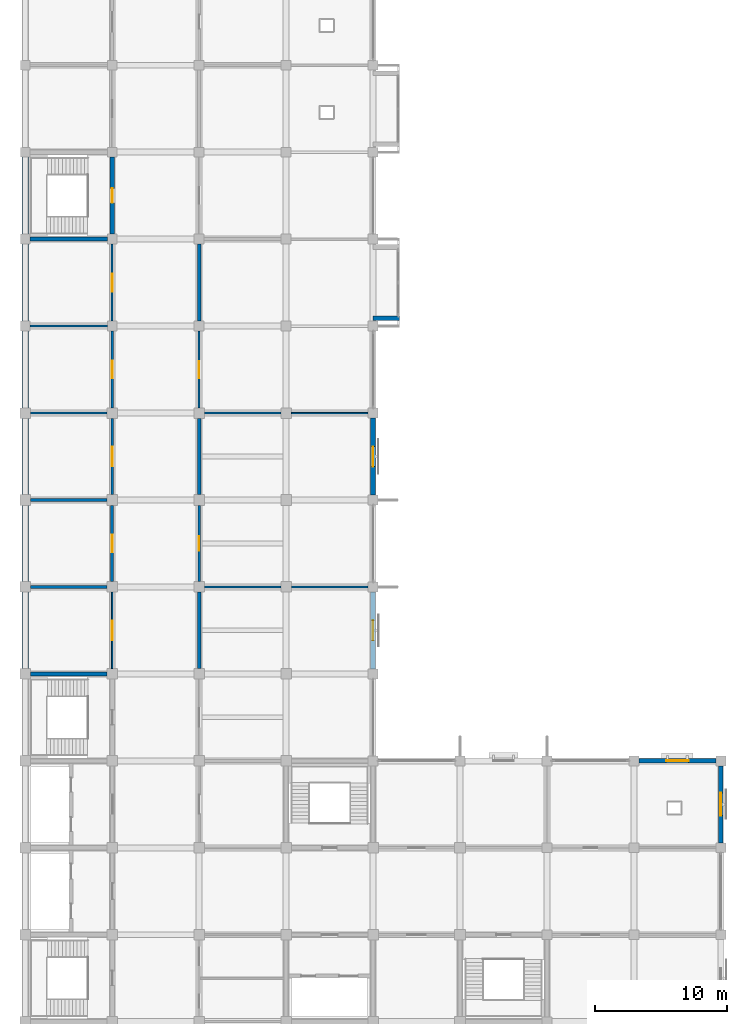
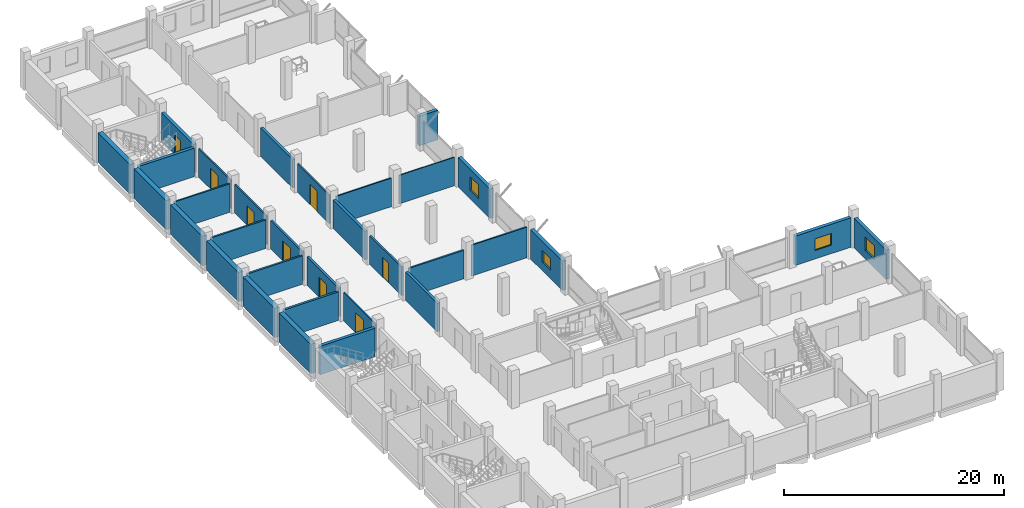
# One storey, part 12 of 18: 32 walls, 8 doors, 4 windows, 12 openings.
"""IFC4 building model written with IfcOpenShell, lengths in metres."""

from ifc_helpers import new_model, si_unit, direction, frame, frame_2d, origin, place, context, subcontext, project, spatial, rectangle, extrude, material, layer, layer_set, type_object, element, fill, save


model = new_model("IFC4")

# Units and contexts
model_context = context("Model", 3, precision=1e-05, world=origin(), true_north=direction((0.0, 1.0)))
body_context = subcontext(model_context, "Body", "Model", "MODEL_VIEW")
ifc_project = project(units=[si_unit("LENGTHUNIT", "METRE"), si_unit("AREAUNIT", "SQUARE_METRE"), si_unit("VOLUMEUNIT", "CUBIC_METRE"), si_unit("PLANEANGLEUNIT", "RADIAN"), si_unit("MASSUNIT", "GRAM", prefix="KILO")], contexts=[model_context])

# Site, building, storey
site_placement = place(None, origin())
site = spatial("IfcSite", under=ifc_project, at=site_placement, CompositionType="ELEMENT")
building_placement = place(site_placement, origin())
building = spatial("IfcBuilding", under=site, at=building_placement, Name="Rusizi Kubbe Research Institute", CompositionType="ELEMENT")
storey_placement = place(building_placement, frame((0.0, 0.0, 22.800048828125)))
storey = spatial("IfcBuildingStorey", under=building, at=storey_placement, Name="L05", CompositionType="ELEMENT", Elevation=22.800048828125)

# Walls
ifc_material_1 = material(Name="Concrete C45/55", Category="concrete")
ifc_layer_1 = layer(ifc_material_1, 0.31494140625)
ifc_layer_set_1 = layer_set([ifc_layer_1], Name="Concrete C45/55")
wall_type_1 = type_object("IfcWallType", Name="CRW-02", PredefinedType="SHEAR", material=ifc_layer_set_1)
wall_1_placement = place(storey_placement, frame((0.39990234375, 33.0, 0.0), z_axis=(0.0, 0.0, 1.0), x_axis=(1.0, 0.0, 0.0)))
element("IfcWall", 1, at=wall_1_placement, inside=storey, type_object=wall_type_1, Name="Stair Core Shear Wall ST2 L05 N", PredefinedType="SHEAR", context=body_context, shape_type="SweptSolid", body=[
    extrude(rectangle(XDim=5.800048828125, YDim=0.31494140625, at=frame_2d((2.89990234375, 0.0))), origin(), (0.0, 0.0, 1.0), 3.169921875),
])
wall_2_placement = place(storey_placement, frame((0.375, 66.0, 0.0), z_axis=(0.0, 0.0, 1.0), x_axis=(1.0, 0.0, 0.0)))
element("IfcWall", 2, at=wall_2_placement, inside=storey, type_object=wall_type_1, Name="Stair Core Shear Wall ST5 L05 S", PredefinedType="SHEAR", context=body_context, shape_type="SweptSolid", body=[
    extrude(rectangle(XDim=5.85009765625, YDim=0.31494140625, at=frame_2d((2.925048828125, 0.0))), origin(), (0.0, 0.0, 1.0), 3.169921875),
])

# Wall, opening, door
wall_3_placement = place(storey_placement, frame((6.60009765625, 66.375, 0.0), z_axis=(0.0, 0.0, 1.0), x_axis=(0.0, 1.0, 0.0)))
wall_3 = element("IfcWall", 3, at=wall_3_placement, inside=storey, type_object=wall_type_1, Name="Stair Core Shear Wall ST5 L05 E", PredefinedType="SHEAR", context=body_context, shape_type="SweptSolid", body=[
    extrude(rectangle(XDim=5.85009765625, YDim=0.31494140625, at=frame_2d((2.925048828125, 0.0))), origin(), (0.0, 0.0, 1.0), 3.169921875),
])
opening_1_placement = place(wall_3_placement, frame((2.375, 0.0, 0.0)))
opening_1 = element("IfcOpeningElement", 4, at=opening_1_placement, cuts=wall_3, Name="Opening D-01", PredefinedType="OPENING", context=body_context, shape_type="SweptSolid", body=[
    extrude(rectangle(XDim=1.10009765625, YDim=2.14990234375, at=frame_2d((0.550048828125, 1.074951171875))), frame((0.0, 0.16748046875, 0.0), z_axis=(0.0, -1.0, 0.0), x_axis=(1.0, 0.0, 0.0)), (0.0, 0.0, 1.0), 0.3349609375),
])
ifc_material_2 = material(Name="Fire-Rated Steel Frame and Acoustic Timber Leaf", Category="wood")
door_type_1 = type_object("IfcDoorType", Name="ID-STAIR-110", OperationType="NOTDEFINED", PredefinedType="DOOR", material=ifc_material_2)
door_1_placement = place(opening_1_placement, origin())
door_1 = element("IfcDoor", 5, at=door_1_placement, inside=storey, type_object=door_type_1, Name="Exit Stair Door ST5 L05", OperationType="SINGLE_SWING_LEFT", OverallHeight=2.14990234375, OverallWidth=1.10009765625, PredefinedType="DOOR", context=body_context, shape_type="SweptSolid", body=[
    extrude(rectangle(XDim=1.10009765625, YDim=2.14990234375, at=frame_2d((0.550048828125, 1.074951171875))), frame((0.0, 0.02490234375, 0.0), z_axis=(0.0, -1.0, 0.0), x_axis=(1.0, 0.0, 0.0)), (0.0, 0.0, 1.0), 0.050048828125),
])
fill(opening_1, door_1)

# Wall, opening, window
ifc_material_3 = material(Name="Volcanic Basalt Ashlar Masonry", Category="masonry")
ifc_layer_2 = layer(ifc_material_3, 0.385009765625)
ifc_layer_set_2 = layer_set([ifc_layer_2], Name="Volcanic Basalt Ashlar Masonry")
wall_type_2 = type_object("IfcWallType", Name="EW-04", PredefinedType="SOLIDWALL", material=ifc_layer_set_2)
wall_4_placement = place(storey_placement, frame((26.39990234375, 33.375, 0.0), z_axis=(0.0, 0.0, 1.0), x_axis=(0.0, 1.0, 0.0)))
wall_4 = element("IfcWall", 6, at=wall_4_placement, inside=storey, type_object=wall_type_2, Name="Ablaq Stone Exterior Wall L05 V4-5", PredefinedType="SOLIDWALL", context=body_context, shape_type="SweptSolid", body=[
    extrude(rectangle(XDim=5.85009765625, YDim=0.385009765625, at=frame_2d((2.925048828125, 0.0))), origin(), (0.0, 0.0, 1.0), 3.27001953125),
])
opening_2_placement = place(wall_4_placement, frame((2.1650390625, 0.0, 0.949951171875)))
opening_2 = element("IfcOpeningElement", 7, at=opening_2_placement, cuts=wall_4, Name="Opening WN-17", PredefinedType="OPENING", context=body_context, shape_type="SweptSolid", body=[
    extrude(rectangle(XDim=1.52001953125, YDim=1.300048828125, at=frame_2d((0.760009765625, 0.64990234375))), frame((0.0, 0.202392578125, 0.0), z_axis=(0.0, -1.0, 0.0), x_axis=(1.0, 0.0, 0.0)), (0.0, 0.0, 1.0), 0.405029296875),
])
ifc_material_4 = material(Name="Aluminium Frame and Solar-Control Double Glazing", Category="glass")
window_type_1 = type_object("IfcWindowType", Name="WN-17", PartitioningType="DOUBLE_PANEL_VERTICAL", PredefinedType="WINDOW", material=ifc_material_4)
window_1_placement = place(opening_2_placement, origin())
window_1 = element("IfcWindow", 8, at=window_1_placement, inside=storey, type_object=window_type_1, Name="Casement Window WN-17 L05", OverallHeight=1.300048828125, OverallWidth=1.52001953125, PartitioningType="DOUBLE_PANEL_VERTICAL", PredefinedType="WINDOW", context=body_context, shape_type="SweptSolid", body=[
    extrude(rectangle(XDim=1.52001953125, YDim=1.300048828125, at=frame_2d((0.760009765625, 0.64990234375))), frame((0.0, 0.030029296875, 0.0), z_axis=(0.0, -1.0, 0.0), x_axis=(1.0, 0.0, 0.0)), (0.0, 0.0, 1.0), 0.06005859375),
])
fill(opening_2, window_1)

ifc_material_5 = material(Name="Volcanic Basalt Ashlar Masonry", Category="masonry")
ifc_layer_3 = layer(ifc_material_5, 0.35498046875)
ifc_layer_set_3 = layer_set([ifc_layer_3], Name="Volcanic Basalt Ashlar Masonry")
wall_type_3 = type_object("IfcWallType", Name="EW-06", PredefinedType="SOLIDWALL", material=ifc_layer_set_3)
wall_5_placement = place(storey_placement, frame((26.39990234375, 46.574951171875, 0.0), z_axis=(0.0, 0.0, 1.0), x_axis=(0.0, 1.0, 0.0)))
wall_5 = element("IfcWall", 9, at=wall_5_placement, inside=storey, type_object=wall_type_3, Name="Ablaq Stone Exterior Wall L05 V4-7", PredefinedType="SOLIDWALL", context=body_context, shape_type="SweptSolid", body=[
    extrude(rectangle(XDim=5.85009765625, YDim=0.35498046875, at=frame_2d((2.925048828125, 0.0))), origin(), (0.0, 0.0, 1.0), 3.27001953125),
])
opening_3_placement = place(wall_5_placement, frame((2.1650390625, 0.0, 0.949951171875)))
opening_3 = element("IfcOpeningElement", 10, at=opening_3_placement, cuts=wall_5, Name="Opening WN-18", PredefinedType="OPENING", context=body_context, shape_type="SweptSolid", body=[
    extrude(rectangle(XDim=1.52001953125, YDim=1.52001953125, at=frame_2d((0.760009765625, 0.760009765625))), frame((0.0, 0.1875, 0.0), z_axis=(0.0, -1.0, 0.0), x_axis=(1.0, 0.0, 0.0)), (0.0, 0.0, 1.0), 0.375),
])
ifc_material_6 = material(Name="Aluminium Frame and Solar-Control Double Glazing", Category="glass")
window_type_2 = type_object("IfcWindowType", Name="WN-18", PartitioningType="DOUBLE_PANEL_VERTICAL", PredefinedType="WINDOW", material=ifc_material_6)
window_2_placement = place(opening_3_placement, origin())
window_2 = element("IfcWindow", 11, at=window_2_placement, inside=storey, type_object=window_type_2, Name="Casement Window WN-18 L05", OverallHeight=1.52001953125, OverallWidth=1.52001953125, PartitioningType="DOUBLE_PANEL_VERTICAL", PredefinedType="WINDOW", context=body_context, shape_type="SweptSolid", body=[
    extrude(rectangle(XDim=1.52001953125, YDim=1.52001953125, at=frame_2d((0.760009765625, 0.760009765625))), frame((0.0, 0.030029296875, 0.0), z_axis=(0.0, -1.0, 0.0), x_axis=(1.0, 0.0, 0.0)), (0.0, 0.0, 1.0), 0.06005859375),
])
fill(opening_3, window_2)

# Wall
wall_6_placement = place(storey_placement, frame((26.39990234375, 60.0, 0.0), z_axis=(0.0, 0.0, 1.0), x_axis=(1.0, 0.0, 0.0)))
element("IfcWall", 12, at=wall_6_placement, inside=storey, type_object=wall_type_3, Name="Cumba Return Wall S L05 (4,9)", PredefinedType="SOLIDWALL", context=body_context, shape_type="SweptSolid", body=[
    extrude(rectangle(XDim=2.0, YDim=0.35498046875, at=frame_2d((1.0, 0.0))), origin(), (0.0, 0.0, 1.0), 3.27001953125),
])

# Wall, opening, window
wall_7_placement = place(storey_placement, frame((46.574951171875, 26.39990234375, 0.0), z_axis=(0.0, 0.0, 1.0), x_axis=(1.0, 0.0, 0.0)))
wall_7 = element("IfcWall", 13, at=wall_7_placement, inside=storey, type_object=wall_type_3, Name="Ablaq Stone Exterior Wall L05 H7-4", PredefinedType="SOLIDWALL", context=body_context, shape_type="SweptSolid", body=[
    extrude(rectangle(XDim=5.85009765625, YDim=0.35498046875, at=frame_2d((2.925048828125, 0.0))), origin(), (0.0, 0.0, 1.0), 3.27001953125),
])
opening_4_placement = place(wall_7_placement, frame((2.06494140625, 0.0, 0.949951171875)))
opening_4 = element("IfcOpeningElement", 14, at=opening_4_placement, cuts=wall_7, Name="Opening WN-21", PredefinedType="OPENING", context=body_context, shape_type="SweptSolid", body=[
    extrude(rectangle(XDim=1.719970703125, YDim=1.300048828125, at=frame_2d((0.85986328125, 0.64990234375))), frame((0.0, 0.1875, 0.0), z_axis=(0.0, -1.0, 0.0), x_axis=(1.0, 0.0, 0.0)), (0.0, 0.0, 1.0), 0.375),
])
ifc_material_7 = material(Name="Aluminium Frame and Solar-Control Double Glazing", Category="glass")
window_type_3 = type_object("IfcWindowType", Name="WN-21", PartitioningType="DOUBLE_PANEL_VERTICAL", PredefinedType="WINDOW", material=ifc_material_7)
window_3_placement = place(opening_4_placement, origin())
window_3 = element("IfcWindow", 15, at=window_3_placement, inside=storey, type_object=window_type_3, Name="Casement Window WN-21 L05", OverallHeight=1.300048828125, OverallWidth=1.719970703125, PartitioningType="DOUBLE_PANEL_VERTICAL", PredefinedType="WINDOW", context=body_context, shape_type="SweptSolid", body=[
    extrude(rectangle(XDim=1.719970703125, YDim=1.300048828125, at=frame_2d((0.85986328125, 0.64990234375))), frame((0.0, 0.030029296875, 0.0), z_axis=(0.0, -1.0, 0.0), x_axis=(1.0, 0.0, 0.0)), (0.0, 0.0, 1.0), 0.06005859375),
])
fill(opening_4, window_3)

wall_8_placement = place(storey_placement, frame((52.800048828125, 20.175048828125, 0.0), z_axis=(0.0, 0.0, 1.0), x_axis=(0.0, 1.0, 0.0)))
wall_8 = element("IfcWall", 16, at=wall_8_placement, inside=storey, type_object=wall_type_3, Name="Ablaq Stone Exterior Wall L05 V8-3", PredefinedType="SOLIDWALL", context=body_context, shape_type="SweptSolid", body=[
    extrude(rectangle(XDim=5.849853515625, YDim=0.35498046875, at=frame_2d((2.9248046875, 0.0))), origin(), (0.0, 0.0, 1.0), 3.27001953125),
])
opening_5_placement = place(wall_8_placement, frame((2.06494140625, 0.0, 0.949951171875)))
opening_5 = element("IfcOpeningElement", 17, at=opening_5_placement, cuts=wall_8, Name="Opening WN-22", PredefinedType="OPENING", context=body_context, shape_type="SweptSolid", body=[
    extrude(rectangle(XDim=1.719970703125, YDim=1.52001953125, at=frame_2d((0.85986328125, 0.760009765625))), frame((0.0, 0.1875, 0.0), z_axis=(0.0, -1.0, 0.0), x_axis=(1.0, 0.0, 0.0)), (0.0, 0.0, 1.0), 0.375),
])
ifc_material_8 = material(Name="Aluminium Frame and Solar-Control Double Glazing", Category="glass")
window_type_4 = type_object("IfcWindowType", Name="WN-22", PartitioningType="DOUBLE_PANEL_VERTICAL", PredefinedType="WINDOW", material=ifc_material_8)
window_4_placement = place(opening_5_placement, origin())
window_4 = element("IfcWindow", 18, at=window_4_placement, inside=storey, type_object=window_type_4, Name="Casement Window WN-22 L05", OverallHeight=1.52001953125, OverallWidth=1.719970703125, PartitioningType="DOUBLE_PANEL_VERTICAL", PredefinedType="WINDOW", context=body_context, shape_type="SweptSolid", body=[
    extrude(rectangle(XDim=1.719970703125, YDim=1.52001953125, at=frame_2d((0.85986328125, 0.760009765625))), frame((0.0, 0.030029296875, 0.0), z_axis=(0.0, -1.0, 0.0), x_axis=(1.0, 0.0, 0.0)), (0.0, 0.0, 1.0), 0.06005859375),
])
fill(opening_5, window_4)

# Wall
ifc_material_9 = material(Name="Concrete Blockwork Fire Partition", Category="masonry")
ifc_layer_4 = layer(ifc_material_9, 0.22509765625)
ifc_layer_set_4 = layer_set([ifc_layer_4], Name="Concrete Blockwork Fire Partition")
wall_type_4 = type_object("IfcWallType", Name="IW-01", PredefinedType="PARTITIONING", material=ifc_layer_set_4)
wall_9_placement = place(storey_placement, frame((0.39990234375, 39.60009765625, 0.0), z_axis=(0.0, 0.0, 1.0), x_axis=(1.0, 0.0, 0.0)))
element("IfcWall", 19, at=wall_9_placement, inside=storey, type_object=wall_type_4, Name="Interior Partition Wall L05 H0-6", PredefinedType="PARTITIONING", context=body_context, shape_type="SweptSolid", body=[
    extrude(rectangle(XDim=5.800048828125, YDim=0.22509765625, at=frame_2d((2.89990234375, 0.0))), origin(), (0.0, 0.0, 1.0), 3.169921875),
])

# Wall, opening, door
wall_10_placement = place(storey_placement, frame((6.60009765625, 40.0, 0.0), z_axis=(0.0, 0.0, 1.0), x_axis=(0.0, 1.0, 0.0)))
wall_10 = element("IfcWall", 20, at=wall_10_placement, inside=storey, type_object=wall_type_4, Name="Interior Partition Wall L05 V1-6", PredefinedType="PARTITIONING", context=body_context, shape_type="SweptSolid", body=[
    extrude(rectangle(XDim=5.800048828125, YDim=0.22509765625, at=frame_2d((2.89990234375, 0.0))), origin(), (0.0, 0.0, 1.0), 3.169921875),
])
opening_6_placement = place(wall_10_placement, frame((2.239990234375, 0.0, 0.0)))
opening_6 = element("IfcOpeningElement", 21, at=opening_6_placement, cuts=wall_10, Name="Opening LD-07", PredefinedType="OPENING", context=body_context, shape_type="SweptSolid", body=[
    extrude(rectangle(XDim=1.320068359375, YDim=2.199951171875, at=frame_2d((0.66015625, 1.10009765625))), frame((0.0, 0.12255859375, 0.0), z_axis=(0.0, -1.0, 0.0), x_axis=(1.0, 0.0, 0.0)), (0.0, 0.0, 1.0), 0.2451171875),
])
ifc_material_10 = material(Name="Brushed Stainless Steel Sliding Door", Category="steel")
door_type_2 = type_object("IfcDoorType", Name="LD-07", OperationType="DOUBLE_DOOR_SLIDING", PredefinedType="USERDEFINED", material=ifc_material_10)
door_2_placement = place(opening_6_placement, origin())
door_2 = element("IfcDoor", 22, at=door_2_placement, inside=storey, type_object=door_type_2, Name="Door to ISO-6 Clean Room Suite (L05-CR-06)", ObjectType="SLIDING DOOR", OperationType="DOUBLE_DOOR_SLIDING", OverallHeight=2.199951171875, OverallWidth=1.320068359375, PredefinedType="USERDEFINED", context=body_context, shape_type="SweptSolid", body=[
    extrude(rectangle(XDim=1.320068359375, YDim=2.199951171875, at=frame_2d((0.66015625, 1.10009765625))), frame((0.0, 0.02490234375, 0.0), z_axis=(0.0, -1.0, 0.0), x_axis=(1.0, 0.0, 0.0)), (0.0, 0.0, 1.0), 0.050048828125),
])
fill(opening_6, door_2)

# Wall
ifc_material_11 = material(Name="Insulated Cleanroom Partition", Category="masonry")
ifc_layer_5 = layer(ifc_material_11, 0.195068359375)
ifc_layer_set_5 = layer_set([ifc_layer_5], Name="Insulated Cleanroom Partition")
wall_type_5 = type_object("IfcWallType", Name="IW-02", PredefinedType="PARTITIONING", material=ifc_layer_set_5)
wall_11_placement = place(storey_placement, frame((0.39990234375, 46.199951171875, 0.0), z_axis=(0.0, 0.0, 1.0), x_axis=(1.0, 0.0, 0.0)))
element("IfcWall", 23, at=wall_11_placement, inside=storey, type_object=wall_type_5, Name="Interior Partition Wall L05 H0-7", PredefinedType="PARTITIONING", context=body_context, shape_type="SweptSolid", body=[
    extrude(rectangle(XDim=5.800048828125, YDim=0.195068359375, at=frame_2d((2.89990234375, 0.0))), origin(), (0.0, 0.0, 1.0), 3.169921875),
])

# Wall, opening, door
wall_12_placement = place(storey_placement, frame((6.60009765625, 46.60009765625, 0.0), z_axis=(0.0, 0.0, 1.0), x_axis=(0.0, 1.0, 0.0)))
wall_12 = element("IfcWall", 24, at=wall_12_placement, inside=storey, type_object=wall_type_5, Name="Interior Partition Wall L05 V1-7", PredefinedType="PARTITIONING", context=body_context, shape_type="SweptSolid", body=[
    extrude(rectangle(XDim=5.7998046875, YDim=0.195068359375, at=frame_2d((2.89990234375, 0.0))), origin(), (0.0, 0.0, 1.0), 3.169921875),
])
opening_7_placement = place(wall_12_placement, frame((2.159912109375, 0.0, 0.0)))
opening_7 = element("IfcOpeningElement", 25, at=opening_7_placement, cuts=wall_12, Name="Opening LD-08", PredefinedType="OPENING", context=body_context, shape_type="SweptSolid", body=[
    extrude(rectangle(XDim=1.47998046875, YDim=2.25, at=frame_2d((0.739990234375, 1.125))), frame((0.0, 0.107421875, 0.0), z_axis=(0.0, -1.0, 0.0), x_axis=(1.0, 0.0, 0.0)), (0.0, 0.0, 1.0), 0.215087890625),
])
ifc_material_12 = material(Name="Brushed Stainless Steel Sliding Door", Category="steel")
door_type_3 = type_object("IfcDoorType", Name="LD-08", OperationType="DOUBLE_DOOR_SLIDING", PredefinedType="USERDEFINED", material=ifc_material_12)
door_3_placement = place(opening_7_placement, origin())
door_3 = element("IfcDoor", 26, at=door_3_placement, inside=storey, type_object=door_type_3, Name="Door to Clean Room Gowning Airlock (L05-ALK-07)", ObjectType="SLIDING DOOR", OperationType="DOUBLE_DOOR_SLIDING", OverallHeight=2.25, OverallWidth=1.47998046875, PredefinedType="USERDEFINED", context=body_context, shape_type="SweptSolid", body=[
    extrude(rectangle(XDim=1.47998046875, YDim=2.25, at=frame_2d((0.739990234375, 1.125))), frame((0.0, 0.02490234375, 0.0), z_axis=(0.0, -1.0, 0.0), x_axis=(1.0, 0.0, 0.0)), (0.0, 0.0, 1.0), 0.050048828125),
])
fill(opening_7, door_3)

wall_13_placement = place(storey_placement, frame((13.199951171875, 40.0, 0.0), z_axis=(0.0, 0.0, 1.0), x_axis=(0.0, 1.0, 0.0)))
wall_13 = element("IfcWall", 27, at=wall_13_placement, inside=storey, type_object=wall_type_5, Name="Interior Partition Wall L05 V2-6", PredefinedType="PARTITIONING", context=body_context, shape_type="SweptSolid", body=[
    extrude(rectangle(XDim=5.800048828125, YDim=0.195068359375, at=frame_2d((2.89990234375, 0.0))), origin(), (0.0, 0.0, 1.0), 3.169921875),
])
opening_8_placement = place(wall_13_placement, frame((2.340087890625, 0.0, 0.0)))
opening_8 = element("IfcOpeningElement", 28, at=opening_8_placement, cuts=wall_13, Name="Opening D-18", PredefinedType="OPENING", context=body_context, shape_type="SweptSolid", body=[
    extrude(rectangle(XDim=1.1201171875, YDim=2.199951171875, at=frame_2d((0.56005859375, 1.10009765625))), frame((0.0, 0.107421875, 0.0), z_axis=(0.0, -1.0, 0.0), x_axis=(1.0, 0.0, 0.0)), (0.0, 0.0, 1.0), 0.215087890625),
])
ifc_material_13 = material(Name="Fire-Rated Steel Frame and Acoustic Timber Leaf", Category="wood")
door_type_4 = type_object("IfcDoorType", Name="ID-OFF-112", OperationType="NOTDEFINED", PredefinedType="DOOR", material=ifc_material_13)
door_4_placement = place(opening_8_placement, origin())
door_4 = element("IfcDoor", 29, at=door_4_placement, inside=storey, type_object=door_type_4, Name="Door to Write-up Office (L05-NW-03)", OperationType="SINGLE_SWING_LEFT", OverallHeight=2.199951171875, OverallWidth=1.1201171875, PredefinedType="DOOR", context=body_context, shape_type="SweptSolid", body=[
    extrude(rectangle(XDim=1.1201171875, YDim=2.199951171875, at=frame_2d((0.56005859375, 1.10009765625))), frame((0.0, 0.02490234375, 0.0), z_axis=(0.0, -1.0, 0.0), x_axis=(1.0, 0.0, 0.0)), (0.0, 0.0, 1.0), 0.050048828125),
])
fill(opening_8, door_4)

# Wall
ifc_material_14 = material(Name="Acoustic Laboratory Partition", Category="masonry")
ifc_layer_6 = layer(ifc_material_14, 0.175048828125)
ifc_layer_set_6 = layer_set([ifc_layer_6], Name="Acoustic Laboratory Partition")
wall_type_6 = type_object("IfcWallType", Name="IW-03", PredefinedType="PARTITIONING", material=ifc_layer_set_6)
wall_14_placement = place(storey_placement, frame((0.39990234375, 52.800048828125, 0.0), z_axis=(0.0, 0.0, 1.0), x_axis=(1.0, 0.0, 0.0)))
element("IfcWall", 30, at=wall_14_placement, inside=storey, type_object=wall_type_6, Name="Interior Partition Wall L05 H0-8", PredefinedType="PARTITIONING", context=body_context, shape_type="SweptSolid", body=[
    extrude(rectangle(XDim=5.800048828125, YDim=0.175048828125, at=frame_2d((2.89990234375, 0.0))), origin(), (0.0, 0.0, 1.0), 3.169921875),
])

# Wall, opening, door
wall_15_placement = place(storey_placement, frame((6.60009765625, 53.199951171875, 0.0), z_axis=(0.0, 0.0, 1.0), x_axis=(0.0, 1.0, 0.0)))
wall_15 = element("IfcWall", 31, at=wall_15_placement, inside=storey, type_object=wall_type_6, Name="Interior Partition Wall L05 V1-8", PredefinedType="PARTITIONING", context=body_context, shape_type="SweptSolid", body=[
    extrude(rectangle(XDim=5.824951171875, YDim=0.175048828125, at=frame_2d((2.91259765625, 0.0))), origin(), (0.0, 0.0, 1.0), 3.169921875),
])
opening_9_placement = place(wall_15_placement, frame((2.239990234375, 0.0, 0.0)))
opening_9 = element("IfcOpeningElement", 32, at=opening_9_placement, cuts=wall_15, Name="Opening LD-07", PredefinedType="OPENING", context=body_context, shape_type="SweptSolid", body=[
    extrude(rectangle(XDim=1.320068359375, YDim=2.199951171875, at=frame_2d((0.66015625, 1.10009765625))), frame((0.0, 0.097412109375, 0.0), z_axis=(0.0, -1.0, 0.0), x_axis=(1.0, 0.0, 0.0)), (0.0, 0.0, 1.0), 0.195068359375),
])
door_5_placement = place(opening_9_placement, origin())
door_5 = element("IfcDoor", 33, at=door_5_placement, inside=storey, type_object=door_type_2, Name="Door to ISO-6 Clean Room Suite (L05-CR-08)", ObjectType="SLIDING DOOR", OperationType="DOUBLE_DOOR_SLIDING", OverallHeight=2.199951171875, OverallWidth=1.320068359375, PredefinedType="USERDEFINED", context=body_context, shape_type="SweptSolid", body=[
    extrude(rectangle(XDim=1.320068359375, YDim=2.199951171875, at=frame_2d((0.66015625, 1.10009765625))), frame((0.0, 0.02490234375, 0.0), z_axis=(0.0, -1.0, 0.0), x_axis=(1.0, 0.0, 0.0)), (0.0, 0.0, 1.0), 0.050048828125),
])
fill(opening_9, door_5)

# Walls
wall_16_placement = place(storey_placement, frame((13.60009765625, 39.60009765625, 0.0), z_axis=(0.0, 0.0, 1.0), x_axis=(1.0, 0.0, 0.0)))
element("IfcWall", 34, at=wall_16_placement, inside=storey, type_object=wall_type_6, Name="Interior Partition Wall L05 H2-6", PredefinedType="PARTITIONING", context=body_context, shape_type="SweptSolid", body=[
    extrude(rectangle(XDim=5.7998046875, YDim=0.175048828125, at=frame_2d((2.89990234375, 0.0))), origin(), (0.0, 0.0, 1.0), 3.169921875),
])
ifc_material_15 = material(Name="Fire-Rated Corridor Partition", Category="masonry")
ifc_layer_7 = layer(ifc_material_15, 0.155029296875)
ifc_layer_set_7 = layer_set([ifc_layer_7], Name="Fire-Rated Corridor Partition")
wall_type_7 = type_object("IfcWallType", Name="IW-04", PredefinedType="PARTITIONING", material=ifc_layer_set_7)
wall_17_placement = place(storey_placement, frame((0.375, 59.39990234375, 0.0), z_axis=(0.0, 0.0, 1.0), x_axis=(1.0, 0.0, 0.0)))
element("IfcWall", 35, at=wall_17_placement, inside=storey, type_object=wall_type_7, Name="Interior Partition Wall L05 H0-9", PredefinedType="PARTITIONING", context=body_context, shape_type="SweptSolid", body=[
    extrude(rectangle(XDim=5.85009765625, YDim=0.155029296875, at=frame_2d((2.925048828125, 0.0))), origin(), (0.0, 0.0, 1.0), 3.169921875),
])

# Wall, opening, door
wall_18_placement = place(storey_placement, frame((6.60009765625, 59.77490234375, 0.0), z_axis=(0.0, 0.0, 1.0), x_axis=(0.0, 1.0, 0.0)))
wall_18 = element("IfcWall", 36, at=wall_18_placement, inside=storey, type_object=wall_type_7, Name="Interior Partition Wall L05 V1-9", PredefinedType="PARTITIONING", context=body_context, shape_type="SweptSolid", body=[
    extrude(rectangle(XDim=5.85009765625, YDim=0.155029296875, at=frame_2d((2.925048828125, 0.0))), origin(), (0.0, 0.0, 1.0), 3.169921875),
])
opening_10_placement = place(wall_18_placement, frame((2.25, 0.0, 0.0)))
opening_10 = element("IfcOpeningElement", 37, at=opening_10_placement, cuts=wall_18, Name="Opening D-13", PredefinedType="OPENING", context=body_context, shape_type="SweptSolid", body=[
    extrude(rectangle(XDim=1.35009765625, YDim=2.300048828125, at=frame_2d((0.675048828125, 1.14990234375))), frame((0.0, 0.08740234375, 0.0), z_axis=(0.0, -1.0, 0.0), x_axis=(1.0, 0.0, 0.0)), (0.0, 0.0, 1.0), 0.175048828125),
])
ifc_material_16 = material(Name="Fire-Rated Steel Frame and Acoustic Timber Leaf", Category="wood")
door_type_5 = type_object("IfcDoorType", Name="ID-LAB-135", OperationType="NOTDEFINED", PredefinedType="DOOR", material=ifc_material_16)
door_6_placement = place(opening_10_placement, origin())
door_6 = element("IfcDoor", 38, at=door_6_placement, inside=storey, type_object=door_type_5, Name="Door to Clean Room Metrology Laboratory (L05-WSP-09)", OperationType="SINGLE_SWING_LEFT", OverallHeight=2.300048828125, OverallWidth=1.35009765625, PredefinedType="DOOR", context=body_context, shape_type="SweptSolid", body=[
    extrude(rectangle(XDim=1.35009765625, YDim=2.300048828125, at=frame_2d((0.675048828125, 1.14990234375))), frame((0.0, 0.02490234375, 0.0), z_axis=(0.0, -1.0, 0.0), x_axis=(1.0, 0.0, 0.0)), (0.0, 0.0, 1.0), 0.050048828125),
])
fill(opening_10, door_6)

wall_19_placement = place(storey_placement, frame((13.199951171875, 53.199951171875, 0.0), z_axis=(0.0, 0.0, 1.0), x_axis=(0.0, 1.0, 0.0)))
wall_19 = element("IfcWall", 39, at=wall_19_placement, inside=storey, type_object=wall_type_7, Name="Interior Partition Wall L05 V2-8", PredefinedType="PARTITIONING", context=body_context, shape_type="SweptSolid", body=[
    extrude(rectangle(XDim=5.824951171875, YDim=0.155029296875, at=frame_2d((2.91259765625, 0.0))), origin(), (0.0, 0.0, 1.0), 3.169921875),
])
opening_11_placement = place(wall_19_placement, frame((2.25, 0.0, 0.0)))
opening_11 = element("IfcOpeningElement", 40, at=opening_11_placement, cuts=wall_19, Name="Opening D-14", PredefinedType="OPENING", context=body_context, shape_type="SweptSolid", body=[
    extrude(rectangle(XDim=1.300048828125, YDim=2.300048828125, at=frame_2d((0.64990234375, 1.14990234375))), frame((0.0, 0.08740234375, 0.0), z_axis=(0.0, -1.0, 0.0), x_axis=(1.0, 0.0, 0.0)), (0.0, 0.0, 1.0), 0.175048828125),
])
ifc_material_17 = material(Name="Fire-Rated Steel Frame and Acoustic Timber Leaf", Category="wood")
door_type_6 = type_object("IfcDoorType", Name="ID-LAB-130", OperationType="NOTDEFINED", PredefinedType="DOOR", material=ifc_material_17)
door_7_placement = place(opening_11_placement, origin())
door_7 = element("IfcDoor", 41, at=door_7_placement, inside=storey, type_object=door_type_6, Name="Door to Bioscience Wet Laboratory (L05-NW-04)", OperationType="SINGLE_SWING_RIGHT", OverallHeight=2.300048828125, OverallWidth=1.300048828125, PredefinedType="DOOR", context=body_context, shape_type="SweptSolid", body=[
    extrude(rectangle(XDim=1.300048828125, YDim=2.300048828125, at=frame_2d((0.64990234375, 1.14990234375))), frame((0.0, 0.02490234375, 0.0), z_axis=(0.0, -1.0, 0.0), x_axis=(1.0, 0.0, 0.0)), (0.0, 0.0, 1.0), 0.050048828125),
])
fill(opening_11, door_7)

# Walls
wall_20_placement = place(storey_placement, frame((20.199951171875, 39.60009765625, 0.0), z_axis=(0.0, 0.0, 1.0), x_axis=(1.0, 0.0, 0.0)))
element("IfcWall", 42, at=wall_20_placement, inside=storey, type_object=wall_type_7, Name="Interior Partition Wall L05 H3-6", PredefinedType="PARTITIONING", context=body_context, shape_type="SweptSolid", body=[
    extrude(rectangle(XDim=5.824951171875, YDim=0.155029296875, at=frame_2d((2.91259765625, 0.0))), origin(), (0.0, 0.0, 1.0), 3.419921875),
])
ifc_material_18 = material(Name="Write-up Glazed Acoustic Partition", Category="masonry")
ifc_layer_8 = layer(ifc_material_18, 0.139892578125)
ifc_layer_set_8 = layer_set([ifc_layer_8], Name="Write-up Glazed Acoustic Partition")
wall_type_8 = type_object("IfcWallType", Name="IW-05", PredefinedType="PARTITIONING", material=ifc_layer_set_8)
wall_21_placement = place(storey_placement, frame((13.60009765625, 52.800048828125, 0.0), z_axis=(0.0, 0.0, 1.0), x_axis=(1.0, 0.0, 0.0)))
element("IfcWall", 43, at=wall_21_placement, inside=storey, type_object=wall_type_8, Name="Interior Partition Wall L05 H2-8", PredefinedType="PARTITIONING", context=body_context, shape_type="SweptSolid", body=[
    extrude(rectangle(XDim=5.7998046875, YDim=0.139892578125, at=frame_2d((2.89990234375, 0.0))), origin(), (0.0, 0.0, 1.0), 3.169921875),
])

# Wall, opening, door
ifc_material_19 = material(Name="Sub-Suite Fire Partition", Category="masonry")
ifc_layer_9 = layer(ifc_material_19, 0.110107421875)
ifc_layer_set_9 = layer_set([ifc_layer_9], Name="Sub-Suite Fire Partition")
wall_type_9 = type_object("IfcWallType", Name="IW-07", PredefinedType="PARTITIONING", material=ifc_layer_set_9)
wall_22_placement = place(storey_placement, frame((6.60009765625, 33.39990234375, 0.0), z_axis=(0.0, 0.0, 1.0), x_axis=(0.0, 1.0, 0.0)))
wall_22 = element("IfcWall", 44, at=wall_22_placement, inside=storey, type_object=wall_type_9, Name="Interior Partition Wall L05 V1-5", PredefinedType="PARTITIONING", context=body_context, shape_type="SweptSolid", body=[
    extrude(rectangle(XDim=5.800048828125, YDim=0.110107421875, at=frame_2d((2.89990234375, 0.0))), origin(), (0.0, 0.0, 1.0), 3.169921875),
])
opening_12_placement = place(wall_22_placement, frame((2.159912109375, 0.0, 0.0)))
opening_12 = element("IfcOpeningElement", 45, at=opening_12_placement, cuts=wall_22, Name="Opening LD-08", PredefinedType="OPENING", context=body_context, shape_type="SweptSolid", body=[
    extrude(rectangle(XDim=1.47998046875, YDim=2.25, at=frame_2d((0.739990234375, 1.125))), frame((0.0, 0.06494140625, 0.0), z_axis=(0.0, -1.0, 0.0), x_axis=(1.0, 0.0, 0.0)), (0.0, 0.0, 1.0), 0.130126953125),
])
door_8_placement = place(opening_12_placement, origin())
door_8 = element("IfcDoor", 46, at=door_8_placement, inside=storey, type_object=door_type_3, Name="Door to Clean Room Gowning Airlock (L05-ALK-05)", ObjectType="SLIDING DOOR", OperationType="DOUBLE_DOOR_SLIDING", OverallHeight=2.25, OverallWidth=1.47998046875, PredefinedType="USERDEFINED", context=body_context, shape_type="SweptSolid", body=[
    extrude(rectangle(XDim=1.47998046875, YDim=2.25, at=frame_2d((0.739990234375, 1.125))), frame((0.0, 0.02490234375, 0.0), z_axis=(0.0, -1.0, 0.0), x_axis=(1.0, 0.0, 0.0)), (0.0, 0.0, 1.0), 0.050048828125),
])
fill(opening_12, door_8)

# Walls
wall_23_placement = place(storey_placement, frame((20.199951171875, 52.800048828125, 0.0), z_axis=(0.0, 0.0, 1.0), x_axis=(1.0, 0.0, 0.0)))
element("IfcWall", 47, at=wall_23_placement, inside=storey, type_object=wall_type_9, Name="Interior Partition Wall L05 H3-8", PredefinedType="PARTITIONING", context=body_context, shape_type="SweptSolid", body=[
    extrude(rectangle(XDim=5.824951171875, YDim=0.110107421875, at=frame_2d((2.91259765625, 0.0))), origin(), (0.0, 0.0, 1.0), 3.169921875),
])
ifc_material_20 = material(Name="Concrete C40/50", Category="concrete")
ifc_layer_10 = layer(ifc_material_20, 0.47998046875)
ifc_layer_set_10 = layer_set([ifc_layer_10], Name="Concrete C40/50")
wall_type_10 = type_object("IfcWallType", Name="PW-01", PredefinedType="SOLIDWALL", material=ifc_layer_set_10)
for number, where, z_axis, x_axis, name in (
    (48, (0.0, 33.39990234375, 0.0), (0.0, 0.0, 1.0), (0.0, 1.0, 0.0), "Blind Party Wall L05 V0-5"),
    (49, (0.0, 40.0, 0.0), (0.0, 0.0, 1.0), (0.0, 1.0, 0.0), "Blind Party Wall L05 V0-6"),
):
    element("IfcWall", number, at=place(storey_placement, frame(where, z_axis=z_axis, x_axis=x_axis)), inside=storey, type_object=wall_type_10, Name=name, PredefinedType="SOLIDWALL", context=body_context, shape_type="SweptSolid", body=[
        extrude(rectangle(XDim=5.800048828125, YDim=0.47998046875, at=frame_2d((2.89990234375, 0.0))), origin(), (0.0, 0.0, 1.0), 3.27001953125),
    ])
wall_24_placement = place(storey_placement, frame((0.0, 46.60009765625, 0.0), z_axis=(0.0, 0.0, 1.0), x_axis=(0.0, 1.0, 0.0)))
element("IfcWall", 50, at=wall_24_placement, inside=storey, type_object=wall_type_10, Name="Blind Party Wall L05 V0-7", PredefinedType="SOLIDWALL", context=body_context, shape_type="SweptSolid", body=[
    extrude(rectangle(XDim=5.7998046875, YDim=0.47998046875, at=frame_2d((2.89990234375, 0.0))), origin(), (0.0, 0.0, 1.0), 3.27001953125),
])
wall_25_placement = place(storey_placement, frame((0.0, 53.199951171875, 0.0), z_axis=(0.0, 0.0, 1.0), x_axis=(0.0, 1.0, 0.0)))
element("IfcWall", 51, at=wall_25_placement, inside=storey, type_object=wall_type_10, Name="Blind Party Wall L05 V0-8", PredefinedType="SOLIDWALL", context=body_context, shape_type="SweptSolid", body=[
    extrude(rectangle(XDim=5.824951171875, YDim=0.47998046875, at=frame_2d((2.91259765625, 0.0))), origin(), (0.0, 0.0, 1.0), 3.27001953125),
])
for number, where, z_axis, x_axis, name in (
    (52, (0.0, 59.77490234375, 0.0), (0.0, 0.0, 1.0), (0.0, 1.0, 0.0), "Blind Party Wall L05 V0-9"),
    (53, (0.0, 66.375, 0.0), (0.0, 0.0, 1.0), (0.0, 1.0, 0.0), "Blind Party Wall L05 V0-10"),
):
    element("IfcWall", number, at=place(storey_placement, frame(where, z_axis=z_axis, x_axis=x_axis)), inside=storey, type_object=wall_type_10, Name=name, PredefinedType="SOLIDWALL", context=body_context, shape_type="SweptSolid", body=[
        extrude(rectangle(XDim=5.85009765625, YDim=0.47998046875, at=frame_2d((2.925048828125, 0.0))), origin(), (0.0, 0.0, 1.0), 3.27001953125),
    ])
ifc_material_21 = material(Name="Concrete C40/50", Category="concrete")
ifc_layer_11 = layer(ifc_material_21, 0.2548828125)
ifc_layer_set_11 = layer_set([ifc_layer_11], Name="Concrete C40/50")
wall_type_11 = type_object("IfcWallType", Name="SHW-02", PredefinedType="SHEAR", material=ifc_layer_set_11)
wall_26_placement = place(storey_placement, frame((13.199951171875, 33.39990234375, 0.0), z_axis=(0.0, 0.0, 1.0), x_axis=(0.0, 1.0, 0.0)))
element("IfcWall", 54, at=wall_26_placement, inside=storey, type_object=wall_type_11, Name="Interior Partition Wall L05 V2-5", PredefinedType="SHEAR", context=body_context, shape_type="SweptSolid", body=[
    extrude(rectangle(XDim=5.800048828125, YDim=0.2548828125, at=frame_2d((2.89990234375, 0.0))), origin(), (0.0, 0.0, 1.0), 3.169921875),
])
wall_27_placement = place(storey_placement, frame((13.199951171875, 46.60009765625, 0.0), z_axis=(0.0, 0.0, 1.0), x_axis=(0.0, 1.0, 0.0)))
element("IfcWall", 55, at=wall_27_placement, inside=storey, type_object=wall_type_11, Name="Interior Partition Wall L05 V2-7", PredefinedType="SHEAR", context=body_context, shape_type="SweptSolid", body=[
    extrude(rectangle(XDim=5.7998046875, YDim=0.2548828125, at=frame_2d((2.89990234375, 0.0))), origin(), (0.0, 0.0, 1.0), 3.169921875),
])
wall_28_placement = place(storey_placement, frame((13.199951171875, 59.77490234375, 0.0), z_axis=(0.0, 0.0, 1.0), x_axis=(0.0, 1.0, 0.0)))
element("IfcWall", 56, at=wall_28_placement, inside=storey, type_object=wall_type_11, Name="Interior Partition Wall L05 V2-9", PredefinedType="SHEAR", context=body_context, shape_type="SweptSolid", body=[
    extrude(rectangle(XDim=5.85009765625, YDim=0.2548828125, at=frame_2d((2.925048828125, 0.0))), origin(), (0.0, 0.0, 1.0), 3.169921875),
])

save(model, "model.ifc")
